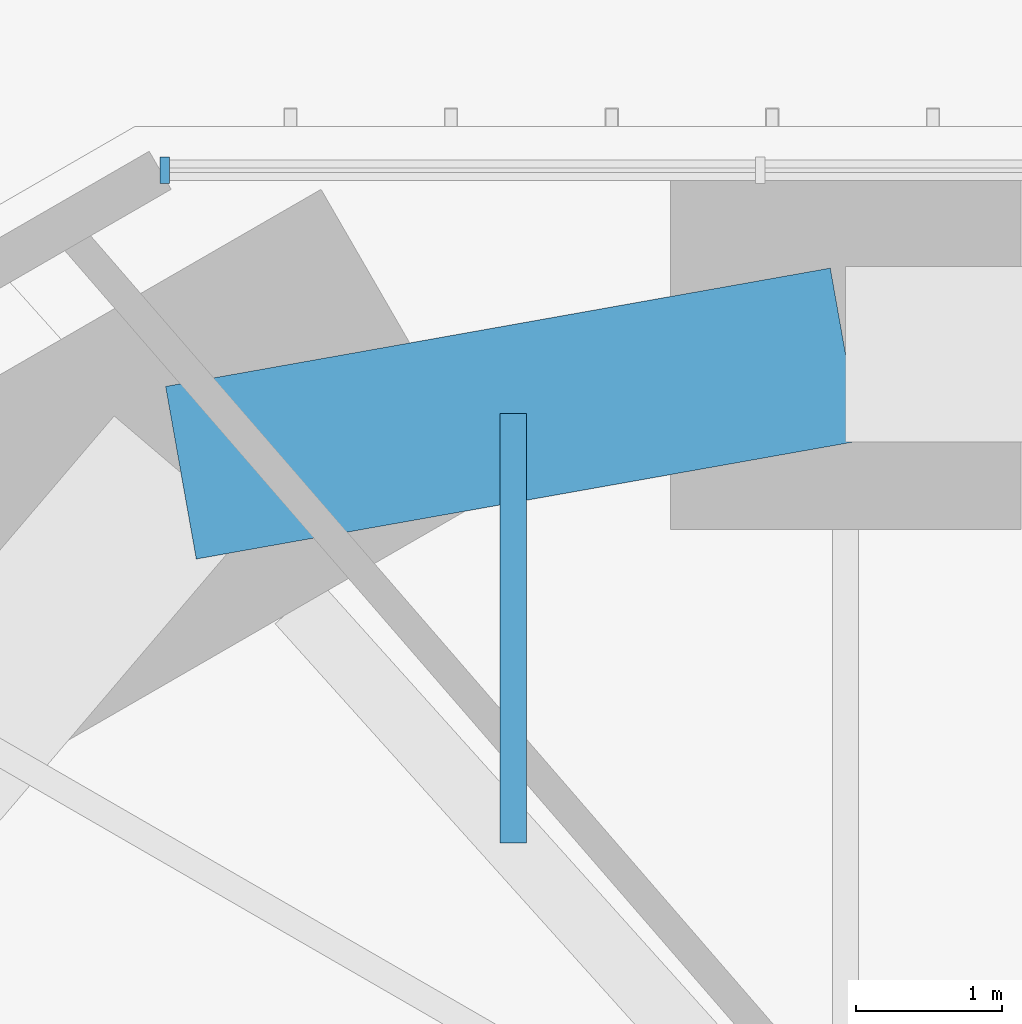
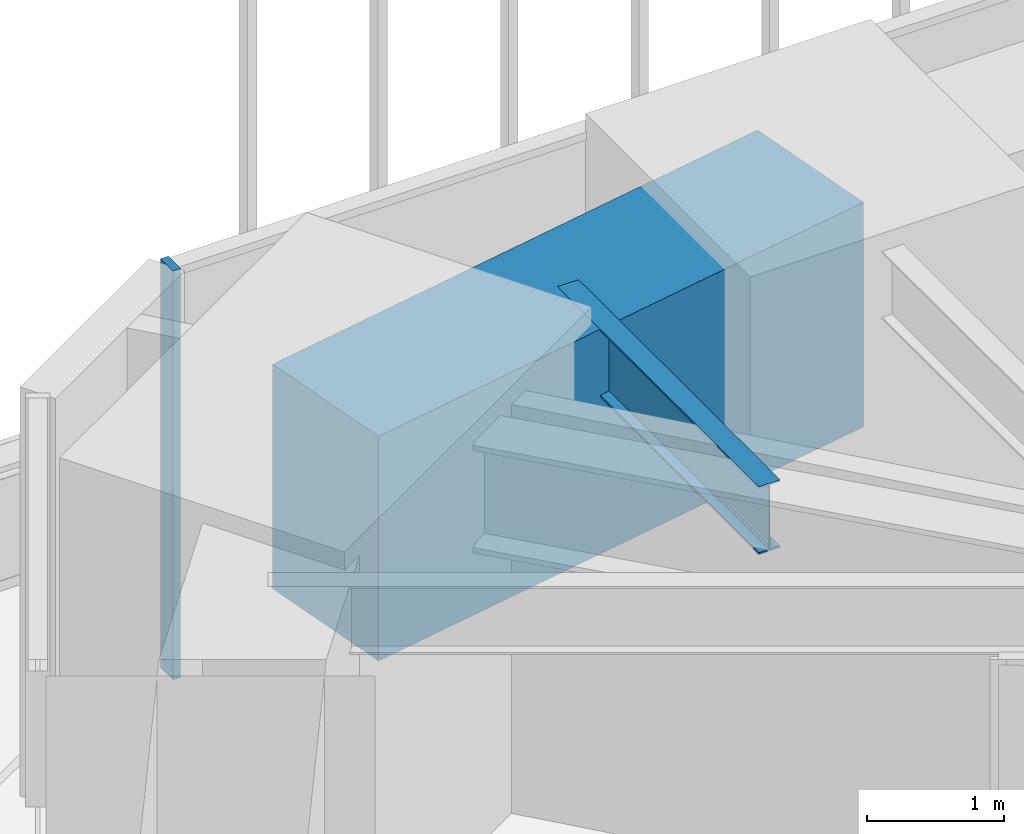
# One storey, part 148 of 238: 2 beams, 1 member, 1 element without a shape of its own.
"""IFC4 building model written with IfcOpenShell, lengths in metres."""

from ifc_helpers import new_model, si_unit, direction, frame, origin, origin_2d, place, context, subcontext, project, spatial, rectangle, i_section, extrude, material, material_profile, profile_set, type_object, element, aggregate, save


model = new_model("IFC4")

# Units and contexts
model_context = context("Model", 3, precision=1e-05, world=origin(), true_north=direction((0.0, 1.0)))
body_context = subcontext(model_context, "Body", "Model", "MODEL_VIEW")
ifc_project = project(units=[si_unit("LENGTHUNIT", "METRE"), si_unit("AREAUNIT", "SQUARE_METRE"), si_unit("VOLUMEUNIT", "CUBIC_METRE"), si_unit("PLANEANGLEUNIT", "RADIAN"), si_unit("MASSUNIT", "GRAM", prefix="KILO")], contexts=[model_context])

# Site, building, storey
site_placement = place(None, origin())
site = spatial("IfcSite", under=ifc_project, at=site_placement, CompositionType="ELEMENT")
building_placement = place(site_placement, origin())
building = spatial("IfcBuilding", under=site, at=building_placement, Name="Sandreach Pilgrim Tower", CompositionType="ELEMENT")
storey_placement = place(building_placement, frame((0.0, 0.0, 96.800048828125)))
storey = spatial("IfcBuildingStorey", under=building, at=storey_placement, Name="L23", CompositionType="ELEMENT", Elevation=96.800048828125)

# Curtain wall, member
ifc_material_1 = material(Name="Aluminium framed curtain wall", Category="aluminium")
curtain_wall_type = type_object("IfcCurtainWallType", Name="Hotel tower curtain wall", PredefinedType="NOTDEFINED", material=ifc_material_1)
curtain_wall_placement = place(storey_placement, origin())
curtain_wall = element("IfcCurtainWall", 1, at=curtain_wall_placement, inside=storey, type_object=curtain_wall_type, Name="CW-2 L23 N", PredefinedType="NOTDEFINED")
ifc_material_2 = material(Name="Aluminium extrusion", Category="aluminium")
ifc_material_profile_1 = material_profile(ifc_material_2, rectangle(XDim=0.06494140625, YDim=0.179931640625, at=origin_2d()), Name="CW-2M 65X180")
ifc_profile_set_1 = profile_set([ifc_material_profile_1], Name="Aluminium extrusion")
member_type = type_object("IfcMemberType", Name="CW-2 mullion", PredefinedType="MULLION", material=ifc_profile_set_1)
member_placement = place(storey_placement, frame((-18.448974609375, 22.493896484375, 0.0), z_axis=(0.0, 0.0, 1.0), x_axis=(1.0, 0.0, 0.0)))
member = element("IfcMember", 2, at=member_placement, type_object=member_type, Name="CW-2 mullion 1", PredefinedType="MULLION", context=body_context, shape_type="SweptSolid", body=[
    extrude(rectangle(XDim=0.06494140625, YDim=0.179931640625, at=origin_2d()), origin(), (0.0, 0.0, 1.0), 3.639892578125),
])
aggregate(curtain_wall, [member])

# Beams
ifc_material_3 = material(Name="Steel ASTM A992 Grade 50", Category="steel")
ifc_material_profile_2 = material_profile(ifc_material_3, i_section(OverallWidth=0.1787109375, OverallDepth=0.60205078125, WebThickness=0.010986328125, FlangeThickness=0.014892578125, at=origin_2d()), Name="W24X62")
ifc_profile_set_2 = profile_set([ifc_material_profile_2], Name="Steel ASTM A992 Grade 50")
beam_type_1 = type_object("IfcBeamType", Name="Floor beam W24X62", PredefinedType="BEAM", material=ifc_profile_set_2)
beam_1_placement = place(storey_placement, frame((-16.064697265625, 20.828857421875, 3.3388671875), z_axis=(0.0, -1.0, 0.0), x_axis=(1.0, 0.0, 0.0)))
element("IfcBeam", 3, at=beam_1_placement, inside=storey, type_object=beam_type_1, Name="BM L23 FM39", PredefinedType="BEAM", context=body_context, shape_type="SweptSolid", body=[
    extrude(i_section(OverallWidth=0.1787109375, OverallDepth=0.60205078125, WebThickness=0.010986328125, FlangeThickness=0.014892578125, at=origin_2d()), origin(), (0.0, 0.0, 1.0), 2.938232421875),
])
ifc_material_4 = material(Name="Concrete 10000 psi", Category="concrete")
ifc_material_profile_3 = material_profile(ifc_material_4, rectangle(XDim=1.199951171875, YDim=2.0, at=origin_2d()), Name="RC1200X2000")
ifc_profile_set_3 = profile_set([ifc_material_profile_3], Name="Concrete 10000 psi")
beam_type_2 = type_object("IfcBeamType", Name="Spandrel beam RC1200X2000", PredefinedType="SPANDREL", material=ifc_profile_set_3)
beam_2_placement = place(storey_placement, frame((-18.33935546875, 20.423828125, 2.639892578125), z_axis=(0.984515938739, 0.175295083699, 0.0), x_axis=(-0.175295083699, 0.984515938739, 0.0)))
element("IfcBeam", 4, at=beam_2_placement, inside=storey, type_object=beam_type_2, Name="BM L23 SP39", PredefinedType="SPANDREL", context=body_context, shape_type="SweptSolid", body=[
    extrude(rectangle(XDim=1.199951171875, YDim=2.0, at=origin_2d()), origin(), (0.0, 0.0, 1.0), 4.62109375),
])

save(model, "model.ifc")
